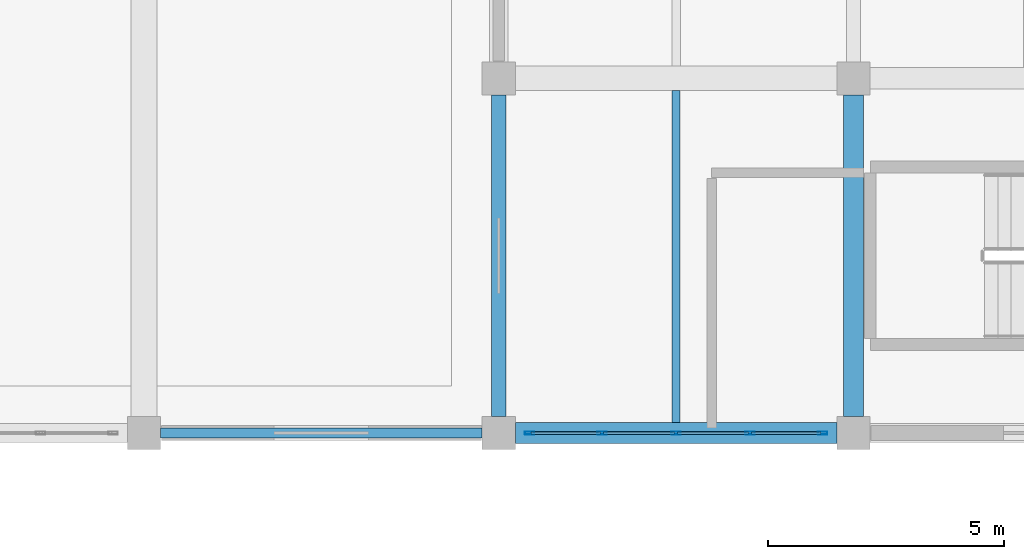
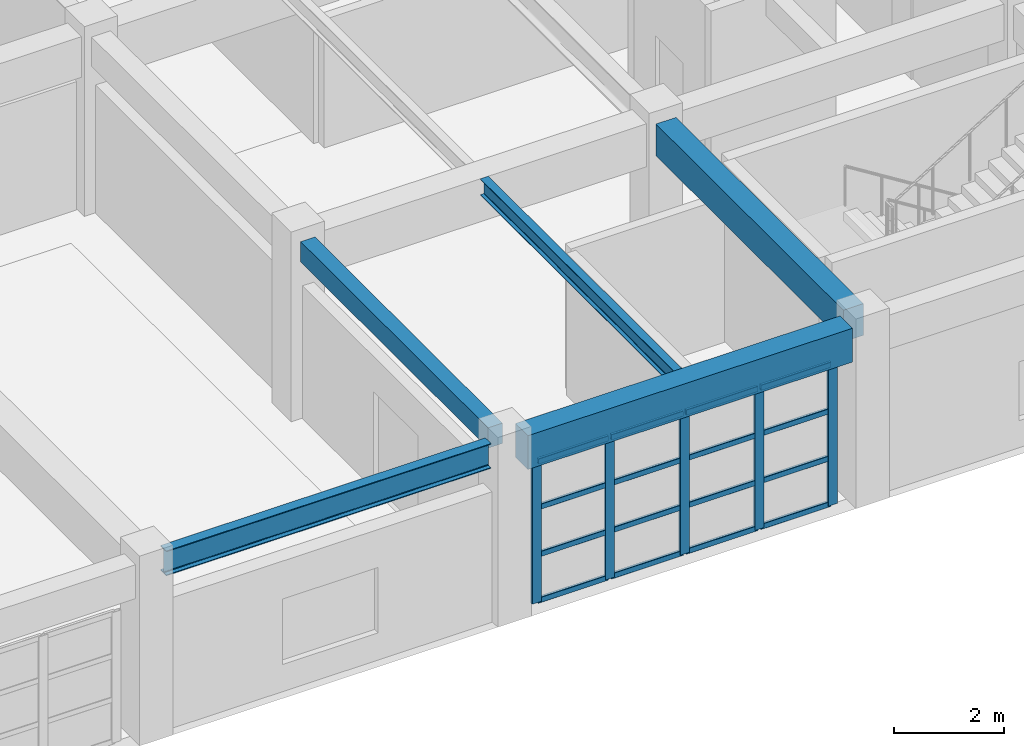
# One storey, part 74 of 132: 21 members, 5 beams, 1 element without a shape of its own.
"""IFC4 building model written with IfcOpenShell, lengths in metres."""

from ifc_helpers import new_model, si_unit, direction, frame, origin, origin_2d, place, context, subcontext, project, spatial, rectangle, hollow_rectangle, i_section, extrude, material, material_profile, profile_set, type_object, element, aggregate, save


model = new_model("IFC4")

# Units and contexts
model_context = context("Model", 3, precision=1e-05, world=origin(), true_north=direction((0.0, 1.0)))
body_context = subcontext(model_context, "Body", "Model", "MODEL_VIEW")
ifc_project = project(units=[si_unit("LENGTHUNIT", "METRE"), si_unit("AREAUNIT", "SQUARE_METRE"), si_unit("VOLUMEUNIT", "CUBIC_METRE"), si_unit("PLANEANGLEUNIT", "RADIAN"), si_unit("MASSUNIT", "GRAM", prefix="KILO")], contexts=[model_context])

# Site, building, storey
site_placement = place(None, origin())
site = spatial("IfcSite", under=ifc_project, at=site_placement, CompositionType="ELEMENT")
building_placement = place(site_placement, origin())
building = spatial("IfcBuilding", under=site, at=building_placement, Name="Qasida Concert Hall", CompositionType="ELEMENT")
storey_placement = place(building_placement, frame((0.0, 0.0, 4.800048828125)))
storey = spatial("IfcBuildingStorey", under=building, at=storey_placement, Name="L01", CompositionType="ELEMENT", Elevation=4.800048828125)

# Beams
ifc_material_1 = material(Name="Concrete C40/50", Category="concrete")
ifc_material_profile_1 = material_profile(ifc_material_1, rectangle(XDim=0.419921875, YDim=0.699951171875, at=origin_2d()), Name="RC 420x700")
ifc_profile_set_1 = profile_set([ifc_material_profile_1], Name="Concrete C40/50")
beam_type_1 = type_object("IfcBeamType", Name="BM-B11", PredefinedType="BEAM", material=ifc_profile_set_1)
beam_1_placement = place(storey_placement, frame((157.5, 75.35009765625, 3.570068359375), z_axis=(0.0, 1.0, 0.0), x_axis=(-1.0, 0.0, 0.0)))
element("IfcBeam", 1, at=beam_1_placement, inside=storey, type_object=beam_type_1, Name="L01 girder 1033", PredefinedType="BEAM", context=body_context, shape_type="SweptSolid", body=[
    extrude(rectangle(XDim=0.419921875, YDim=0.699951171875, at=origin_2d()), origin(), (0.0, 0.0, 1.0), 6.7998046875),
])
ifc_material_profile_2 = material_profile(ifc_material_1, rectangle(XDim=0.300048828125, YDim=0.449951171875, at=origin_2d()), Name="RC 300x450")
ifc_profile_set_2 = profile_set([ifc_material_profile_2], Name="Concrete C40/50")
beam_type_2 = type_object("IfcBeamType", Name="BM-B3", PredefinedType="BEAM", material=ifc_profile_set_2)
beam_2_placement = place(storey_placement, frame((150.0, 75.35009765625, 3.695068359375), z_axis=(0.0, 1.0, 0.0), x_axis=(-1.0, 0.0, 0.0)))
element("IfcBeam", 2, at=beam_2_placement, inside=storey, type_object=beam_type_2, Name="L01 girder 1028", PredefinedType="BEAM", context=body_context, shape_type="SweptSolid", body=[
    extrude(rectangle(XDim=0.300048828125, YDim=0.449951171875, at=origin_2d()), origin(), (0.0, 0.0, 1.0), 6.7998046875),
])
ifc_material_2 = material(Name="Steel S355J2", Category="steel")
ifc_material_profile_3 = material_profile(ifc_material_2, i_section(OverallWidth=0.169921875, OverallDepth=0.360107421875, WebThickness=0.008056640625, FlangeThickness=0.0126953125, FilletRadius=0.01806640625, at=origin_2d()), Name="IPE 360")
ifc_profile_set_3 = profile_set([ifc_material_profile_3], Name="Steel S355J2")
beam_type_3 = type_object("IfcBeamType", Name="BM-J2", PredefinedType="JOIST", material=ifc_profile_set_3)
beam_3_placement = place(storey_placement, frame((153.75, 75.22509765625, 3.739990234375), z_axis=(0.0, 1.0, 0.0), x_axis=(-1.0, 0.0, 0.0)))
element("IfcBeam", 3, at=beam_3_placement, inside=storey, type_object=beam_type_3, Name="L01 secondary joist 1057", PredefinedType="JOIST", context=body_context, shape_type="SweptSolid", body=[
    extrude(i_section(OverallWidth=0.169921875, OverallDepth=0.360107421875, WebThickness=0.008056640625, FlangeThickness=0.0126953125, FilletRadius=0.01806640625, at=origin_2d()), origin(), (0.0, 0.0, 1.0), 7.014892578125),
])
ifc_material_profile_4 = material_profile(ifc_material_2, i_section(OverallWidth=0.2099609375, OverallDepth=0.550048828125, WebThickness=0.010986328125, FlangeThickness=0.01708984375, FilletRadius=0.02392578125, at=origin_2d()), Name="IPE 550")
ifc_profile_set_4 = profile_set([ifc_material_profile_4], Name="Steel S355J2")
beam_type_4 = type_object("IfcBeamType", Name="BM-SP2", PredefinedType="SPANDREL", material=ifc_profile_set_4)
beam_4_placement = place(storey_placement, frame((142.85009765625, 75.0, 3.64501953125), z_axis=(1.0, 0.0, 0.0), x_axis=(0.0, 1.0, 0.0)))
element("IfcBeam", 4, at=beam_4_placement, inside=storey, type_object=beam_type_4, Name="Primary girder 0980", PredefinedType="SPANDREL", context=body_context, shape_type="SweptSolid", body=[
    extrude(i_section(OverallWidth=0.2099609375, OverallDepth=0.550048828125, WebThickness=0.010986328125, FlangeThickness=0.01708984375, FilletRadius=0.02392578125, at=origin_2d()), origin(), (0.0, 0.0, 1.0), 6.7998046875),
])
ifc_material_profile_5 = material_profile(ifc_material_1, rectangle(XDim=0.449951171875, YDim=0.75, at=origin_2d()), Name="RC 450x750")
ifc_profile_set_5 = profile_set([ifc_material_profile_5], Name="Concrete C40/50")
beam_type_5 = type_object("IfcBeamType", Name="BM-SP4", PredefinedType="SPANDREL", material=ifc_profile_set_5)
beam_5_placement = place(storey_placement, frame((150.35009765625, 75.0, 3.544921875), z_axis=(1.0, 0.0, 0.0), x_axis=(0.0, 1.0, 0.0)))
element("IfcBeam", 5, at=beam_5_placement, inside=storey, type_object=beam_type_5, Name="Primary girder 0981", PredefinedType="SPANDREL", context=body_context, shape_type="SweptSolid", body=[
    extrude(rectangle(XDim=0.449951171875, YDim=0.75, at=origin_2d()), origin(), (0.0, 0.0, 1.0), 6.7998046875),
])

# Curtain wall, members
ifc_material_3 = material(Name="Architectural bronze-anodized aluminium and low-E glass", Category="aluminium")
curtain_wall_type = type_object("IfcCurtainWallType", Name="CW-03", PredefinedType="NOTDEFINED", material=ifc_material_3)
curtain_wall_placement = place(storey_placement, origin())
curtain_wall = element("IfcCurtainWall", 6, at=curtain_wall_placement, inside=storey, type_object=curtain_wall_type, Name="L01 curtain wall CW-03 0164", PredefinedType="NOTDEFINED")
ifc_material_4 = material(Name="Architectural bronze-anodized aluminium EN AW-6063", Category="aluminium")
ifc_material_profile_6 = material_profile(ifc_material_4, hollow_rectangle(XDim=0.06494140625, YDim=0.199951171875, WallThickness=0.0048828125, InnerFilletRadius=0.0048828125, OuterFilletRadius=0.010009765625, at=origin_2d()), Name="CWM 200x65x5")
ifc_profile_set_6 = profile_set([ifc_material_profile_6], Name="Architectural bronze-anodized aluminium EN AW-6063")
member_type_1 = type_object("IfcMemberType", Name="MB-CWM-2", PredefinedType="MULLION", material=ifc_profile_set_6)
member_1_placement = place(storey_placement, frame((150.652587890625, 75.0, 0.0), z_axis=(0.0, 0.0, 1.0), x_axis=(0.0, 1.0, 0.0)))
member_1 = element("IfcMember", 7, at=member_1_placement, type_object=member_type_1, Name="CW-03 mullion 1", PredefinedType="MULLION", context=body_context, shape_type="SweptSolid", body=[
    extrude(hollow_rectangle(XDim=0.06494140625, YDim=0.199951171875, WallThickness=0.0048828125, InnerFilletRadius=0.0048828125, OuterFilletRadius=0.010009765625, at=origin_2d()), origin(), (0.0, 0.0, 1.0), 3.139892578125),
])
member_2_placement = place(storey_placement, frame((152.18505859375, 75.0, 0.0), z_axis=(0.0, 0.0, 1.0), x_axis=(0.0, 1.0, 0.0)))
member_2 = element("IfcMember", 8, at=member_2_placement, type_object=member_type_1, Name="CW-03 mullion 2", PredefinedType="MULLION", context=body_context, shape_type="SweptSolid", body=[
    extrude(hollow_rectangle(XDim=0.06494140625, YDim=0.199951171875, WallThickness=0.0048828125, InnerFilletRadius=0.0048828125, OuterFilletRadius=0.010009765625, at=origin_2d()), origin(), (0.0, 0.0, 1.0), 3.139892578125),
])
member_3_placement = place(storey_placement, frame((153.75, 75.0, 0.0), z_axis=(0.0, 0.0, 1.0), x_axis=(0.0, 1.0, 0.0)))
member_3 = element("IfcMember", 9, at=member_3_placement, type_object=member_type_1, Name="CW-03 mullion 3", PredefinedType="MULLION", context=body_context, shape_type="SweptSolid", body=[
    extrude(hollow_rectangle(XDim=0.06494140625, YDim=0.199951171875, WallThickness=0.0048828125, InnerFilletRadius=0.0048828125, OuterFilletRadius=0.010009765625, at=origin_2d()), origin(), (0.0, 0.0, 1.0), 3.139892578125),
])
member_4_placement = place(storey_placement, frame((155.31494140625, 75.0, 0.0), z_axis=(0.0, 0.0, 1.0), x_axis=(0.0, 1.0, 0.0)))
member_4 = element("IfcMember", 10, at=member_4_placement, type_object=member_type_1, Name="CW-03 mullion 4", PredefinedType="MULLION", context=body_context, shape_type="SweptSolid", body=[
    extrude(hollow_rectangle(XDim=0.06494140625, YDim=0.199951171875, WallThickness=0.0048828125, InnerFilletRadius=0.0048828125, OuterFilletRadius=0.010009765625, at=origin_2d()), origin(), (0.0, 0.0, 1.0), 3.139892578125),
])
member_5_placement = place(storey_placement, frame((156.847412109375, 75.0, 0.0), z_axis=(0.0, 0.0, 1.0), x_axis=(0.0, 1.0, 0.0)))
member_5 = element("IfcMember", 11, at=member_5_placement, type_object=member_type_1, Name="CW-03 mullion 5", PredefinedType="MULLION", context=body_context, shape_type="SweptSolid", body=[
    extrude(hollow_rectangle(XDim=0.06494140625, YDim=0.199951171875, WallThickness=0.0048828125, InnerFilletRadius=0.0048828125, OuterFilletRadius=0.010009765625, at=origin_2d()), origin(), (0.0, 0.0, 1.0), 3.139892578125),
])
ifc_material_profile_7 = material_profile(ifc_material_4, hollow_rectangle(XDim=0.06005859375, YDim=0.1201171875, WallThickness=0.00390625, InnerFilletRadius=0.00390625, OuterFilletRadius=0.008056640625, at=origin_2d()), Name="CWT 120x60x4")
ifc_profile_set_7 = profile_set([ifc_material_profile_7], Name="Architectural bronze-anodized aluminium EN AW-6063")
member_type_2 = type_object("IfcMemberType", Name="MB-CWT-2", PredefinedType="USERDEFINED", material=ifc_profile_set_7)
member_6_placement = place(storey_placement, frame((150.68505859375, 75.0, 0.030029296875), z_axis=(1.0, 0.0, 0.0), x_axis=(0.0, 1.0, 0.0)))
member_6 = element("IfcMember", 12, at=member_6_placement, type_object=member_type_2, Name="CW-03 transom 1.1", ObjectType="TRANSOM", PredefinedType="USERDEFINED", context=body_context, shape_type="SweptSolid", body=[
    extrude(hollow_rectangle(XDim=0.06005859375, YDim=0.1201171875, WallThickness=0.00390625, InnerFilletRadius=0.00390625, OuterFilletRadius=0.008056640625, at=origin_2d()), origin(), (0.0, 0.0, 1.0), 1.467529296875),
])
member_7_placement = place(storey_placement, frame((150.68505859375, 75.0, 1.046630859375), z_axis=(1.0, 0.0, 0.0), x_axis=(0.0, 1.0, 0.0)))
member_7 = element("IfcMember", 13, at=member_7_placement, type_object=member_type_2, Name="CW-03 transom 1.2", ObjectType="TRANSOM", PredefinedType="USERDEFINED", context=body_context, shape_type="SweptSolid", body=[
    extrude(hollow_rectangle(XDim=0.06005859375, YDim=0.1201171875, WallThickness=0.00390625, InnerFilletRadius=0.00390625, OuterFilletRadius=0.008056640625, at=origin_2d()), origin(), (0.0, 0.0, 1.0), 1.467529296875),
])
member_8_placement = place(storey_placement, frame((150.68505859375, 75.0, 2.09326171875), z_axis=(1.0, 0.0, 0.0), x_axis=(0.0, 1.0, 0.0)))
member_8 = element("IfcMember", 14, at=member_8_placement, type_object=member_type_2, Name="CW-03 transom 1.3", ObjectType="TRANSOM", PredefinedType="USERDEFINED", context=body_context, shape_type="SweptSolid", body=[
    extrude(hollow_rectangle(XDim=0.06005859375, YDim=0.1201171875, WallThickness=0.00390625, InnerFilletRadius=0.00390625, OuterFilletRadius=0.008056640625, at=origin_2d()), origin(), (0.0, 0.0, 1.0), 1.467529296875),
])
member_9_placement = place(storey_placement, frame((150.68505859375, 75.0, 3.10986328125), z_axis=(1.0, 0.0, 0.0), x_axis=(0.0, 1.0, 0.0)))
member_9 = element("IfcMember", 15, at=member_9_placement, type_object=member_type_2, Name="CW-03 transom 1.4", ObjectType="TRANSOM", PredefinedType="USERDEFINED", context=body_context, shape_type="SweptSolid", body=[
    extrude(hollow_rectangle(XDim=0.06005859375, YDim=0.1201171875, WallThickness=0.00390625, InnerFilletRadius=0.00390625, OuterFilletRadius=0.008056640625, at=origin_2d()), origin(), (0.0, 0.0, 1.0), 1.467529296875),
])
member_10_placement = place(storey_placement, frame((152.217529296875, 75.0, 0.030029296875), z_axis=(1.0, 0.0, 0.0), x_axis=(0.0, 1.0, 0.0)))
member_10 = element("IfcMember", 16, at=member_10_placement, type_object=member_type_2, Name="CW-03 transom 2.1", ObjectType="TRANSOM", PredefinedType="USERDEFINED", context=body_context, shape_type="SweptSolid", body=[
    extrude(hollow_rectangle(XDim=0.06005859375, YDim=0.1201171875, WallThickness=0.00390625, InnerFilletRadius=0.00390625, OuterFilletRadius=0.008056640625, at=origin_2d()), origin(), (0.0, 0.0, 1.0), 1.5),
])
member_11_placement = place(storey_placement, frame((152.217529296875, 75.0, 1.046630859375), z_axis=(1.0, 0.0, 0.0), x_axis=(0.0, 1.0, 0.0)))
member_11 = element("IfcMember", 17, at=member_11_placement, type_object=member_type_2, Name="CW-03 transom 2.2", ObjectType="TRANSOM", PredefinedType="USERDEFINED", context=body_context, shape_type="SweptSolid", body=[
    extrude(hollow_rectangle(XDim=0.06005859375, YDim=0.1201171875, WallThickness=0.00390625, InnerFilletRadius=0.00390625, OuterFilletRadius=0.008056640625, at=origin_2d()), origin(), (0.0, 0.0, 1.0), 1.5),
])
member_12_placement = place(storey_placement, frame((152.217529296875, 75.0, 2.09326171875), z_axis=(1.0, 0.0, 0.0), x_axis=(0.0, 1.0, 0.0)))
member_12 = element("IfcMember", 18, at=member_12_placement, type_object=member_type_2, Name="CW-03 transom 2.3", ObjectType="TRANSOM", PredefinedType="USERDEFINED", context=body_context, shape_type="SweptSolid", body=[
    extrude(hollow_rectangle(XDim=0.06005859375, YDim=0.1201171875, WallThickness=0.00390625, InnerFilletRadius=0.00390625, OuterFilletRadius=0.008056640625, at=origin_2d()), origin(), (0.0, 0.0, 1.0), 1.5),
])
member_13_placement = place(storey_placement, frame((152.217529296875, 75.0, 3.10986328125), z_axis=(1.0, 0.0, 0.0), x_axis=(0.0, 1.0, 0.0)))
member_13 = element("IfcMember", 19, at=member_13_placement, type_object=member_type_2, Name="CW-03 transom 2.4", ObjectType="TRANSOM", PredefinedType="USERDEFINED", context=body_context, shape_type="SweptSolid", body=[
    extrude(hollow_rectangle(XDim=0.06005859375, YDim=0.1201171875, WallThickness=0.00390625, InnerFilletRadius=0.00390625, OuterFilletRadius=0.008056640625, at=origin_2d()), origin(), (0.0, 0.0, 1.0), 1.5),
])
member_14_placement = place(storey_placement, frame((153.782470703125, 75.0, 0.030029296875), z_axis=(1.0, 0.0, 0.0), x_axis=(0.0, 1.0, 0.0)))
member_14 = element("IfcMember", 20, at=member_14_placement, type_object=member_type_2, Name="CW-03 transom 3.1", ObjectType="TRANSOM", PredefinedType="USERDEFINED", context=body_context, shape_type="SweptSolid", body=[
    extrude(hollow_rectangle(XDim=0.06005859375, YDim=0.1201171875, WallThickness=0.00390625, InnerFilletRadius=0.00390625, OuterFilletRadius=0.008056640625, at=origin_2d()), origin(), (0.0, 0.0, 1.0), 1.5),
])
member_15_placement = place(storey_placement, frame((153.782470703125, 75.0, 1.046630859375), z_axis=(1.0, 0.0, 0.0), x_axis=(0.0, 1.0, 0.0)))
member_15 = element("IfcMember", 21, at=member_15_placement, type_object=member_type_2, Name="CW-03 transom 3.2", ObjectType="TRANSOM", PredefinedType="USERDEFINED", context=body_context, shape_type="SweptSolid", body=[
    extrude(hollow_rectangle(XDim=0.06005859375, YDim=0.1201171875, WallThickness=0.00390625, InnerFilletRadius=0.00390625, OuterFilletRadius=0.008056640625, at=origin_2d()), origin(), (0.0, 0.0, 1.0), 1.5),
])
member_16_placement = place(storey_placement, frame((153.782470703125, 75.0, 2.09326171875), z_axis=(1.0, 0.0, 0.0), x_axis=(0.0, 1.0, 0.0)))
member_16 = element("IfcMember", 22, at=member_16_placement, type_object=member_type_2, Name="CW-03 transom 3.3", ObjectType="TRANSOM", PredefinedType="USERDEFINED", context=body_context, shape_type="SweptSolid", body=[
    extrude(hollow_rectangle(XDim=0.06005859375, YDim=0.1201171875, WallThickness=0.00390625, InnerFilletRadius=0.00390625, OuterFilletRadius=0.008056640625, at=origin_2d()), origin(), (0.0, 0.0, 1.0), 1.5),
])
member_17_placement = place(storey_placement, frame((153.782470703125, 75.0, 3.10986328125), z_axis=(1.0, 0.0, 0.0), x_axis=(0.0, 1.0, 0.0)))
member_17 = element("IfcMember", 23, at=member_17_placement, type_object=member_type_2, Name="CW-03 transom 3.4", ObjectType="TRANSOM", PredefinedType="USERDEFINED", context=body_context, shape_type="SweptSolid", body=[
    extrude(hollow_rectangle(XDim=0.06005859375, YDim=0.1201171875, WallThickness=0.00390625, InnerFilletRadius=0.00390625, OuterFilletRadius=0.008056640625, at=origin_2d()), origin(), (0.0, 0.0, 1.0), 1.5),
])
member_18_placement = place(storey_placement, frame((155.347412109375, 75.0, 0.030029296875), z_axis=(1.0, 0.0, 0.0), x_axis=(0.0, 1.0, 0.0)))
member_18 = element("IfcMember", 24, at=member_18_placement, type_object=member_type_2, Name="CW-03 transom 4.1", ObjectType="TRANSOM", PredefinedType="USERDEFINED", context=body_context, shape_type="SweptSolid", body=[
    extrude(hollow_rectangle(XDim=0.06005859375, YDim=0.1201171875, WallThickness=0.00390625, InnerFilletRadius=0.00390625, OuterFilletRadius=0.008056640625, at=origin_2d()), origin(), (0.0, 0.0, 1.0), 1.467529296875),
])
member_19_placement = place(storey_placement, frame((155.347412109375, 75.0, 1.046630859375), z_axis=(1.0, 0.0, 0.0), x_axis=(0.0, 1.0, 0.0)))
member_19 = element("IfcMember", 25, at=member_19_placement, type_object=member_type_2, Name="CW-03 transom 4.2", ObjectType="TRANSOM", PredefinedType="USERDEFINED", context=body_context, shape_type="SweptSolid", body=[
    extrude(hollow_rectangle(XDim=0.06005859375, YDim=0.1201171875, WallThickness=0.00390625, InnerFilletRadius=0.00390625, OuterFilletRadius=0.008056640625, at=origin_2d()), origin(), (0.0, 0.0, 1.0), 1.467529296875),
])
member_20_placement = place(storey_placement, frame((155.347412109375, 75.0, 2.09326171875), z_axis=(1.0, 0.0, 0.0), x_axis=(0.0, 1.0, 0.0)))
member_20 = element("IfcMember", 26, at=member_20_placement, type_object=member_type_2, Name="CW-03 transom 4.3", ObjectType="TRANSOM", PredefinedType="USERDEFINED", context=body_context, shape_type="SweptSolid", body=[
    extrude(hollow_rectangle(XDim=0.06005859375, YDim=0.1201171875, WallThickness=0.00390625, InnerFilletRadius=0.00390625, OuterFilletRadius=0.008056640625, at=origin_2d()), origin(), (0.0, 0.0, 1.0), 1.467529296875),
])
member_21_placement = place(storey_placement, frame((155.347412109375, 75.0, 3.10986328125), z_axis=(1.0, 0.0, 0.0), x_axis=(0.0, 1.0, 0.0)))
member_21 = element("IfcMember", 27, at=member_21_placement, type_object=member_type_2, Name="CW-03 transom 4.4", ObjectType="TRANSOM", PredefinedType="USERDEFINED", context=body_context, shape_type="SweptSolid", body=[
    extrude(hollow_rectangle(XDim=0.06005859375, YDim=0.1201171875, WallThickness=0.00390625, InnerFilletRadius=0.00390625, OuterFilletRadius=0.008056640625, at=origin_2d()), origin(), (0.0, 0.0, 1.0), 1.467529296875),
])
aggregate(curtain_wall, [member_1, member_2, member_3, member_4, member_5, member_6, member_7, member_8, member_9, member_10, member_11, member_12, member_13, member_14, member_15, member_16, member_17, member_18, member_19, member_20, member_21])

save(model, "model.ifc")
